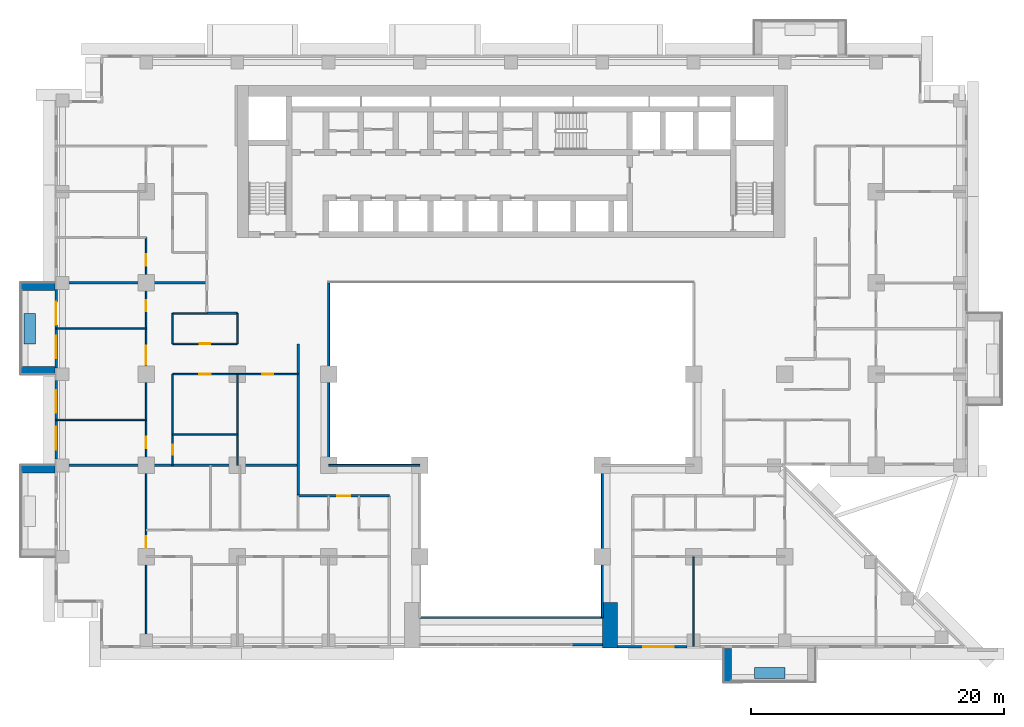
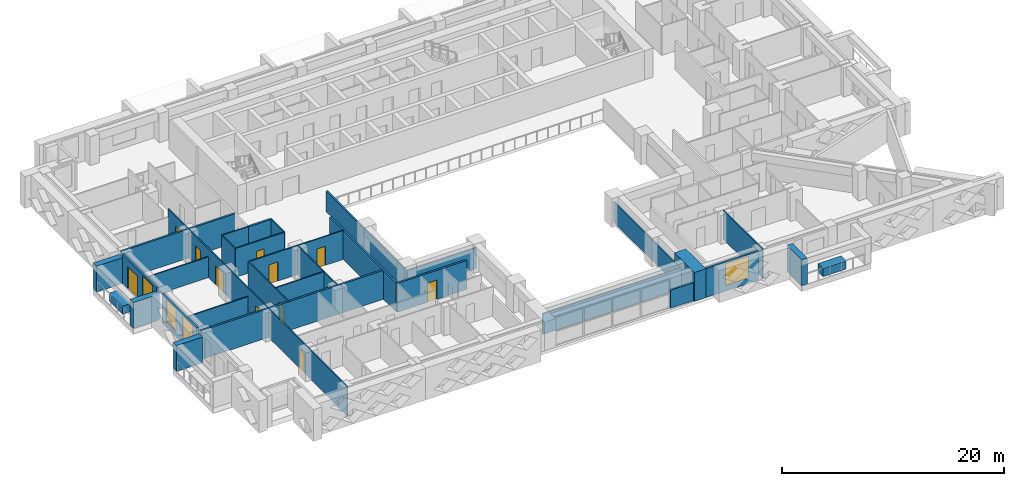
# One storey, part 7 of 16: 32 walls, 11 doors, 4 windows, 15 openings.
"""IFC4 building model written with IfcOpenShell, lengths in metres."""

from ifc_helpers import new_model, si_unit, direction, frame, frame_2d, origin, place, context, subcontext, project, spatial, rectangle, extrude, material, layer, layer_set, type_object, element, fill, save


model = new_model("IFC4")

# Units and contexts
model_context = context("Model", 3, precision=1e-05, world=origin(), true_north=direction((0.0, 1.0)))
body_context = subcontext(model_context, "Body", "Model", "MODEL_VIEW")
ifc_project = project(units=[si_unit("LENGTHUNIT", "METRE"), si_unit("AREAUNIT", "SQUARE_METRE"), si_unit("VOLUMEUNIT", "CUBIC_METRE"), si_unit("PLANEANGLEUNIT", "RADIAN"), si_unit("MASSUNIT", "GRAM", prefix="KILO")], contexts=[model_context])

# Site, building, storey
site_placement = place(None, origin())
site = spatial("IfcSite", under=ifc_project, at=site_placement, CompositionType="ELEMENT")
building_placement = place(site_placement, origin())
building = spatial("IfcBuilding", under=site, at=building_placement, Name="Saffron Iwan Residences", CompositionType="ELEMENT")
storey_placement = place(building_placement, frame((0.0, 0.0, 90.0)))
storey = spatial("IfcBuildingStorey", under=building, at=storey_placement, Name="L23", CompositionType="ELEMENT", Elevation=90.0)

# Walls
ifc_material_1 = material(Name="Fire-rated glazing", Category="glass")
ifc_layer_1 = layer(ifc_material_1, 0.14990234375)
ifc_layer_set_1 = layer_set([ifc_layer_1], Name="Fire-rated glazing")
wall_type_1 = type_object("IfcWallType", Name="Atrium glazed screen 150", PredefinedType="SOLIDWALL", material=ifc_layer_set_1)
wall_1_placement = place(storey_placement, frame((43.199951171875, 36.0, 0.0), z_axis=(0.0, 0.0, 1.0), x_axis=(1.0, 0.0, 0.0)))
element("IfcWall", 1, at=wall_1_placement, inside=storey, type_object=wall_type_1, Name="W-L23-SCREEN-h36-43.2", PredefinedType="SOLIDWALL", context=body_context, shape_type="SweptSolid", body=[
    extrude(rectangle(XDim=14.400146484375, YDim=0.14990234375, at=frame_2d((7.2001953125, 0.0))), origin(), (0.0, 0.0, 1.0), 2.280029296875),
])
wall_2_placement = place(storey_placement, frame((36.0, 48.0, 0.0), z_axis=(0.0, 0.0, 1.0), x_axis=(1.0, 0.0, 0.0)))
element("IfcWall", 2, at=wall_2_placement, inside=storey, type_object=wall_type_1, Name="W-L23-SCREEN-h48-36", PredefinedType="SOLIDWALL", context=body_context, shape_type="SweptSolid", body=[
    extrude(rectangle(XDim=7.199951171875, YDim=0.14990234375, at=frame_2d((3.60009765625, 0.0))), origin(), (0.0, 0.0, 1.0), 2.280029296875),
])
wall_3_placement = place(storey_placement, frame((36.0, 48.0, 0.0), z_axis=(0.0, 0.0, 1.0), x_axis=(0.0, 1.0, 0.0)))
element("IfcWall", 3, at=wall_3_placement, inside=storey, type_object=wall_type_1, Name="W-L23-SCREEN-v36-48", PredefinedType="SOLIDWALL", context=body_context, shape_type="SweptSolid", body=[
    extrude(rectangle(XDim=14.39990234375, YDim=0.14990234375, at=frame_2d((7.199951171875, 0.0))), origin(), (0.0, 0.0, 1.0), 2.280029296875),
])
wall_4_placement = place(storey_placement, frame((57.60009765625, 36.0, 0.0), z_axis=(0.0, 0.0, 1.0), x_axis=(0.0, 1.0, 0.0)))
element("IfcWall", 4, at=wall_4_placement, inside=storey, type_object=wall_type_1, Name="W-L23-SCREEN-v57.6-36", PredefinedType="SOLIDWALL", context=body_context, shape_type="SweptSolid", body=[
    extrude(rectangle(XDim=12.0, YDim=0.14990234375, at=frame_2d((6.0, 0.0))), origin(), (0.0, 0.0, 1.0), 2.280029296875),
])
ifc_material_2 = material(Name="Concrete C50/60 white painted", Category="concrete")
ifc_layer_2 = layer(ifc_material_2, 0.60009765625)
ifc_layer_set_2 = layer_set([ifc_layer_2], Name="Concrete C50/60 white painted")
wall_type_2 = type_object("IfcWallType", Name="BALCONY FIN 600", PredefinedType="SOLIDWALL", material=ifc_layer_set_2)
for number, where, z_axis, x_axis, name in (
    (5, (14.39990234375, 62.10009765625, 0.0), (0.0, 0.0, 1.0), (-1.0, 0.0, 0.0), "Balcony fin L23 F8-0a"),
    (6, (14.39990234375, 55.5, 0.0), (0.0, 0.0, 1.0), (-1.0, 0.0, 0.0), "Balcony fin L23 F8-0b"),
    (7, (14.39990234375, 47.699951171875, 0.0), (0.0, 0.0, 1.0), (-1.0, 0.0, 0.0), "Balcony fin L23 F8-1a"),
):
    element("IfcWall", number, at=place(storey_placement, frame(where, z_axis=z_axis, x_axis=x_axis)), inside=storey, type_object=wall_type_2, Name=name, PredefinedType="SOLIDWALL", context=body_context, shape_type="SweptSolid", body=[
        extrude(rectangle(XDim=2.699951171875, YDim=0.60009765625, at=frame_2d((1.35009765625, 0.0))), origin(), (0.0, 0.0, 1.0), 2.85009765625),
    ])
wall_5_placement = place(storey_placement, frame((67.5, 33.550048828125, 0.0), z_axis=(0.0, 0.0, 1.0), x_axis=(0.0, -1.0, 0.0)))
element("IfcWall", 8, at=wall_5_placement, inside=storey, type_object=wall_type_2, Name="Balcony fin L23 11-1a", PredefinedType="SOLIDWALL", context=body_context, shape_type="SweptSolid", body=[
    extrude(rectangle(XDim=2.650146484375, YDim=0.60009765625, at=frame_2d((1.3251953125, 0.0))), origin(), (0.0, 0.0, 1.0), 2.85009765625),
])
ifc_material_3 = material(Name="Concrete C35/45 white painted", Category="concrete")
ifc_layer_3 = layer(ifc_material_3, 0.14990234375)
ifc_layer_set_3 = layer_set([ifc_layer_3], Name="Concrete C35/45 white painted")
wall_type_3 = type_object("IfcWallType", Name="BALCONY PLANTER", PredefinedType="SOLIDWALL", material=ifc_layer_set_3)
for number, where, z_axis, x_axis, name in (
    (9, (12.425048828125, 60.0, 0.0), (0.0, 0.0, 1.0), (0.0, -1.0, 0.0), "PLANTER L23 F8-0"),
    (10, (69.60009765625, 31.625, 0.0), (0.0, 0.0, 1.0), (1.0, 0.0, 0.0), "PLANTER L23 11-1"),
):
    element("IfcWall", number, at=place(storey_placement, frame(where, z_axis=z_axis, x_axis=x_axis)), inside=storey, type_object=wall_type_3, Name=name, PredefinedType="SOLIDWALL", context=body_context, shape_type="SweptSolid", body=[
        extrude(rectangle(XDim=2.39990234375, YDim=0.89990234375, at=frame_2d((1.199951171875, 0.0))), origin(), (0.0, 0.0, 1.0), 0.89990234375),
    ])

# Wall, openings, door, window
ifc_material_4 = material(Name="Concrete C40/50", Category="concrete")
ifc_layer_4 = layer(ifc_material_4, 0.199951171875)
ifc_layer_set_4 = layer_set([ifc_layer_4], Name="Concrete C40/50")
wall_type_4 = type_object("IfcWallType", Name="EXTERNAL WALL 200", PredefinedType="SOLIDWALL", material=ifc_layer_set_4)
wall_6_placement = place(storey_placement, frame((14.5, 61.89990234375, 0.0), z_axis=(0.0, 0.0, 1.0), x_axis=(0.0, -1.0, 0.0)))
wall_6 = element("IfcWall", 11, at=wall_6_placement, inside=storey, type_object=wall_type_4, Name="External wall L23 F8.2", PredefinedType="SOLIDWALL", context=body_context, shape_type="SweptSolid", body=[
    extrude(rectangle(XDim=6.199951171875, YDim=0.199951171875, at=frame_2d((3.10009765625, 0.0))), origin(), (0.0, 0.0, 1.0), 3.179931640625),
])
opening_1_placement = place(wall_6_placement, frame((1.0, 0.0, 0.0)))
opening_1 = element("IfcOpeningElement", 12, at=opening_1_placement, cuts=wall_6, Name="Opening BD1", PredefinedType="OPENING", context=body_context, shape_type="SweptSolid", body=[
    extrude(rectangle(XDim=1.800048828125, YDim=2.39990234375, at=frame_2d((0.89990234375, 1.199951171875))), frame((0.0, 0.10986328125, 0.0), z_axis=(0.0, -1.0, 0.0), x_axis=(1.0, 0.0, 0.0)), (0.0, 0.0, 1.0), 0.219970703125),
])
opening_2_placement = place(wall_6_placement, frame((3.64990234375, 0.0, 0.60009765625)))
opening_2 = element("IfcOpeningElement", 13, at=opening_2_placement, cuts=wall_6, Name="Opening W8", PredefinedType="OPENING", context=body_context, shape_type="SweptSolid", body=[
    extrude(rectangle(XDim=1.800048828125, YDim=2.39990234375, at=frame_2d((0.89990234375, 1.199951171875))), frame((0.0, 0.10986328125, 0.0), z_axis=(0.0, -1.0, 0.0), x_axis=(1.0, 0.0, 0.0)), (0.0, 0.0, 1.0), 0.219970703125),
])
ifc_material_5 = material(Name="Clear glass, laminated double glazed", Category="glass")
door_type_1 = type_object("IfcDoorType", Name="BALCONY DOOR 1800 x 2400", OperationType="DOUBLE_DOOR_SLIDING", PredefinedType="DOOR", material=ifc_material_5)
door_1_placement = place(opening_1_placement, origin())
door_1 = element("IfcDoor", 14, at=door_1_placement, inside=storey, type_object=door_type_1, Name="Balcony door L23 F8.0", OperationType="DOUBLE_DOOR_SLIDING", OverallHeight=2.39990234375, OverallWidth=1.800048828125, PredefinedType="DOOR", context=body_context, shape_type="SweptSolid", body=[
    extrude(rectangle(XDim=1.800048828125, YDim=2.39990234375, at=frame_2d((0.89990234375, 1.199951171875))), frame((0.0, 0.02490234375, 0.0), z_axis=(0.0, -1.0, 0.0), x_axis=(1.0, 0.0, 0.0)), (0.0, 0.0, 1.0), 0.050048828125),
])
fill(opening_1, door_1)
window_type_1 = type_object("IfcWindowType", Name="WINDOW 1800 x 2400", PartitioningType="DOUBLE_PANEL_VERTICAL", PredefinedType="WINDOW", material=ifc_material_5)
window_1_placement = place(opening_2_placement, origin())
window_1 = element("IfcWindow", 15, at=window_1_placement, inside=storey, type_object=window_type_1, Name="Window L23 F8.1", OverallHeight=2.39990234375, OverallWidth=1.800048828125, PartitioningType="DOUBLE_PANEL_VERTICAL", PredefinedType="WINDOW", context=body_context, shape_type="SweptSolid", body=[
    extrude(rectangle(XDim=1.800048828125, YDim=2.39990234375, at=frame_2d((0.89990234375, 1.199951171875))), frame((0.0, 0.030029296875, 0.0), z_axis=(0.0, -1.0, 0.0), x_axis=(1.0, 0.0, 0.0)), (0.0, 0.0, 1.0), 0.06005859375),
])
fill(opening_2, window_1)

# Wall, openings, windows
wall_7_placement = place(storey_placement, frame((14.5, 54.699951171875, 0.0), z_axis=(0.0, 0.0, 1.0), x_axis=(0.0, -1.0, 0.0)))
wall_7 = element("IfcWall", 16, at=wall_7_placement, inside=storey, type_object=wall_type_4, Name="External wall L23 F8.3", PredefinedType="SOLIDWALL", context=body_context, shape_type="SweptSolid", body=[
    extrude(rectangle(XDim=6.199951171875, YDim=0.199951171875, at=frame_2d((3.10009765625, 0.0))), origin(), (0.0, 0.0, 1.0), 3.179931640625),
])
opening_3_placement = place(wall_7_placement, frame((3.64990234375, 0.0, 0.60009765625)))
opening_3 = element("IfcOpeningElement", 17, at=opening_3_placement, cuts=wall_7, Name="Opening W8", PredefinedType="OPENING", context=body_context, shape_type="SweptSolid", body=[
    extrude(rectangle(XDim=1.800048828125, YDim=2.39990234375, at=frame_2d((0.89990234375, 1.199951171875))), frame((0.0, 0.10986328125, 0.0), z_axis=(0.0, -1.0, 0.0), x_axis=(1.0, 0.0, 0.0)), (0.0, 0.0, 1.0), 0.219970703125),
])
opening_4_placement = place(wall_7_placement, frame((0.75, 0.0, 0.60009765625)))
opening_4 = element("IfcOpeningElement", 18, at=opening_4_placement, cuts=wall_7, Name="Opening W8", PredefinedType="OPENING", context=body_context, shape_type="SweptSolid", body=[
    extrude(rectangle(XDim=1.800048828125, YDim=2.39990234375, at=frame_2d((0.89990234375, 1.199951171875))), frame((0.0, 0.10986328125, 0.0), z_axis=(0.0, -1.0, 0.0), x_axis=(1.0, 0.0, 0.0)), (0.0, 0.0, 1.0), 0.219970703125),
])
window_2_placement = place(opening_3_placement, origin())
window_2 = element("IfcWindow", 19, at=window_2_placement, inside=storey, type_object=window_type_1, Name="Window L23 F8.0", OverallHeight=2.39990234375, OverallWidth=1.800048828125, PartitioningType="DOUBLE_PANEL_VERTICAL", PredefinedType="WINDOW", context=body_context, shape_type="SweptSolid", body=[
    extrude(rectangle(XDim=1.800048828125, YDim=2.39990234375, at=frame_2d((0.89990234375, 1.199951171875))), frame((0.0, 0.030029296875, 0.0), z_axis=(0.0, -1.0, 0.0), x_axis=(1.0, 0.0, 0.0)), (0.0, 0.0, 1.0), 0.06005859375),
])
fill(opening_3, window_2)
window_3_placement = place(opening_4_placement, origin())
window_3 = element("IfcWindow", 20, at=window_3_placement, inside=storey, type_object=window_type_1, Name="Window L23 F8.1", OverallHeight=2.39990234375, OverallWidth=1.800048828125, PartitioningType="DOUBLE_PANEL_VERTICAL", PredefinedType="WINDOW", context=body_context, shape_type="SweptSolid", body=[
    extrude(rectangle(XDim=1.800048828125, YDim=2.39990234375, at=frame_2d((0.89990234375, 1.199951171875))), frame((0.0, 0.030029296875, 0.0), z_axis=(0.0, -1.0, 0.0), x_axis=(1.0, 0.0, 0.0)), (0.0, 0.0, 1.0), 0.06005859375),
])
fill(opening_4, window_3)

# Wall, opening, window
wall_8_placement = place(storey_placement, frame((58.800048828125, 33.699951171875, 0.0), z_axis=(0.0, 0.0, 1.0), x_axis=(1.0, 0.0, 0.0)))
wall_8 = element("IfcWall", 21, at=wall_8_placement, inside=storey, type_object=wall_type_4, Name="External wall L23 F11.4", PredefinedType="SOLIDWALL", context=body_context, shape_type="SweptSolid", body=[
    extrude(rectangle(XDim=5.5, YDim=0.199951171875, at=frame_2d((2.75, 0.0))), origin(), (0.0, 0.0, 1.0), 3.179931640625),
])
opening_5_placement = place(wall_8_placement, frame((2.050048828125, 0.0, 0.60009765625)))
opening_5 = element("IfcOpeningElement", 22, at=opening_5_placement, cuts=wall_8, Name="Opening W1", PredefinedType="OPENING", context=body_context, shape_type="SweptSolid", body=[
    extrude(rectangle(XDim=2.39990234375, YDim=2.39990234375, at=frame_2d((1.199951171875, 1.199951171875))), frame((0.0, 0.10986328125, 0.0), z_axis=(0.0, -1.0, 0.0), x_axis=(1.0, 0.0, 0.0)), (0.0, 0.0, 1.0), 0.219970703125),
])
window_type_2 = type_object("IfcWindowType", Name="WINDOW 2400 x 2400", PartitioningType="DOUBLE_PANEL_VERTICAL", PredefinedType="WINDOW", material=ifc_material_5)
window_4_placement = place(opening_5_placement, origin())
window_4 = element("IfcWindow", 23, at=window_4_placement, inside=storey, type_object=window_type_2, Name="Window L23 F11.0", OverallHeight=2.39990234375, OverallWidth=2.39990234375, PartitioningType="DOUBLE_PANEL_VERTICAL", PredefinedType="WINDOW", context=body_context, shape_type="SweptSolid", body=[
    extrude(rectangle(XDim=2.39990234375, YDim=2.39990234375, at=frame_2d((1.199951171875, 1.199951171875))), frame((0.0, 0.030029296875, 0.0), z_axis=(0.0, -1.0, 0.0), x_axis=(1.0, 0.0, 0.0)), (0.0, 0.0, 1.0), 0.06005859375),
])
fill(opening_5, window_4)

# Walls
wall_9_placement = place(storey_placement, frame((55.199951171875, 33.85009765625, 0.0), z_axis=(0.0, 0.0, 1.0), x_axis=(1.0, 0.0, 0.0)))
element("IfcWall", 24, at=wall_9_placement, inside=storey, type_object=wall_type_4, Name="External wall infill CWB-L23-0", PredefinedType="SOLIDWALL", context=body_context, shape_type="SweptSolid", body=[
    extrude(rectangle(XDim=2.400146484375, YDim=0.199951171875, at=frame_2d((1.2001953125, 0.0))), origin(), (0.0, 0.0, 1.0), 1.97998046875),
])
ifc_material_6 = material(Name="Fire-rated gypsum board wall")
ifc_layer_5 = layer(ifc_material_6, 0.199951171875)
ifc_layer_set_5 = layer_set([ifc_layer_5], Name="Fire-rated gypsum board wall")
wall_type_5 = type_object("IfcWallType", Name="Flat demising wall 200", PredefinedType="SOLIDWALL", material=ifc_layer_set_5)
wall_10_placement = place(storey_placement, frame((14.52490234375, 48.0, 0.0), z_axis=(0.0, 0.0, 1.0), x_axis=(1.0, 0.0, 0.0)))
element("IfcWall", 25, at=wall_10_placement, inside=storey, type_object=wall_type_5, Name="W-L23-DEMISE-h48-14.525", PredefinedType="SOLIDWALL", context=body_context, shape_type="SweptSolid", body=[
    extrude(rectangle(XDim=19.0751953125, YDim=0.199951171875, at=frame_2d((9.53759765625, 0.0))), origin(), (0.0, 0.0, 1.0), 3.179931640625),
])
wall_11_placement = place(storey_placement, frame((14.52490234375, 62.39990234375, 0.0), z_axis=(0.0, 0.0, 1.0), x_axis=(1.0, 0.0, 0.0)))
element("IfcWall", 26, at=wall_11_placement, inside=storey, type_object=wall_type_5, Name="W-L23-DEMISE-h62.4-14.525", PredefinedType="SOLIDWALL", context=body_context, shape_type="SweptSolid", body=[
    extrude(rectangle(XDim=11.875, YDim=0.199951171875, at=frame_2d((5.9375, 0.0))), origin(), (0.0, 0.0, 1.0), 3.179931640625),
])
ifc_material_7 = material(Name="Gypsum board partition")
ifc_layer_6 = layer(ifc_material_7, 0.1201171875)
ifc_layer_set_6 = layer_set([ifc_layer_6], Name="Gypsum board partition")
wall_type_6 = type_object("IfcWallType", Name="Flat partition 120", PredefinedType="PARTITIONING", material=ifc_layer_set_6)
wall_12_placement = place(storey_placement, frame((23.699951171875, 50.449951171875, 0.0), z_axis=(0.0, 0.0, 1.0), x_axis=(1.0, 0.0, 0.0)))
element("IfcWall", 27, at=wall_12_placement, inside=storey, type_object=wall_type_6, Name="W-L23-PART-h50.45-23.7", PredefinedType="PARTITIONING", context=body_context, shape_type="SweptSolid", body=[
    extrude(rectangle(XDim=5.10009765625, YDim=0.1201171875, at=frame_2d((2.550048828125, 0.0))), origin(), (0.0, 0.0, 1.0), 3.179931640625),
])
wall_13_placement = place(storey_placement, frame((14.52490234375, 51.60009765625, 0.0), z_axis=(0.0, 0.0, 1.0), x_axis=(1.0, 0.0, 0.0)))
element("IfcWall", 28, at=wall_13_placement, inside=storey, type_object=wall_type_6, Name="W-L23-PART-h51.6-14.525", PredefinedType="PARTITIONING", context=body_context, shape_type="SweptSolid", body=[
    extrude(rectangle(XDim=7.0751953125, YDim=0.1201171875, at=frame_2d((3.53759765625, 0.0))), origin(), (0.0, 0.0, 1.0), 2.280029296875),
])

# Wall, openings, doors
wall_14_placement = place(storey_placement, frame((23.699951171875, 55.199951171875, 0.0), z_axis=(0.0, 0.0, 1.0), x_axis=(1.0, 0.0, 0.0)))
wall_14 = element("IfcWall", 29, at=wall_14_placement, inside=storey, type_object=wall_type_6, Name="W-L23-PART-h55.2-23.7", PredefinedType="PARTITIONING", context=body_context, shape_type="SweptSolid", body=[
    extrude(rectangle(XDim=9.900146484375, YDim=0.1201171875, at=frame_2d((4.9501953125, 0.0))), origin(), (0.0, 0.0, 1.0), 3.179931640625),
])
opening_6_placement = place(wall_14_placement, frame((2.10009765625, 0.0, 0.0)))
opening_6 = element("IfcOpeningElement", 30, at=opening_6_placement, cuts=wall_14, Name="Opening FD2", PredefinedType="OPENING", context=body_context, shape_type="SweptSolid", body=[
    extrude(rectangle(XDim=0.89990234375, YDim=2.10009765625, at=frame_2d((0.449951171875, 1.050048828125))), frame((0.0, 0.070068359375, 0.0), z_axis=(0.0, -1.0, 0.0), x_axis=(1.0, 0.0, 0.0)), (0.0, 0.0, 1.0), 0.14013671875),
])
opening_7_placement = place(wall_14_placement, frame((7.050048828125, 0.0, 0.0)))
opening_7 = element("IfcOpeningElement", 31, at=opening_7_placement, cuts=wall_14, Name="Opening FD2", PredefinedType="OPENING", context=body_context, shape_type="SweptSolid", body=[
    extrude(rectangle(XDim=0.89990234375, YDim=2.10009765625, at=frame_2d((0.449951171875, 1.050048828125))), frame((0.0, 0.070068359375, 0.0), z_axis=(0.0, -1.0, 0.0), x_axis=(1.0, 0.0, 0.0)), (0.0, 0.0, 1.0), 0.14013671875),
])
ifc_material_8 = material(Name="Timber door", Category="wood")
door_type_2 = type_object("IfcDoorType", Name="Flat door 900", OperationType="NOTDEFINED", PredefinedType="DOOR", material=ifc_material_8)
door_2_placement = place(opening_6_placement, origin())
door_2 = element("IfcDoor", 32, at=door_2_placement, inside=storey, type_object=door_type_2, Name="Door L23-018", OperationType="SINGLE_SWING_LEFT", OverallHeight=2.10009765625, OverallWidth=0.89990234375, PredefinedType="DOOR", context=body_context, shape_type="SweptSolid", body=[
    extrude(rectangle(XDim=0.89990234375, YDim=2.10009765625, at=frame_2d((0.449951171875, 1.050048828125))), frame((0.0, 0.02490234375, 0.0), z_axis=(0.0, -1.0, 0.0), x_axis=(1.0, 0.0, 0.0)), (0.0, 0.0, 1.0), 0.050048828125),
])
fill(opening_6, door_2)
door_3_placement = place(opening_7_placement, origin())
door_3 = element("IfcDoor", 33, at=door_3_placement, inside=storey, type_object=door_type_2, Name="Door L23-020", OperationType="SINGLE_SWING_RIGHT", OverallHeight=2.10009765625, OverallWidth=0.89990234375, PredefinedType="DOOR", context=body_context, shape_type="SweptSolid", body=[
    extrude(rectangle(XDim=0.89990234375, YDim=2.10009765625, at=frame_2d((0.449951171875, 1.050048828125))), frame((0.0, 0.02490234375, 0.0), z_axis=(0.0, -1.0, 0.0), x_axis=(1.0, 0.0, 0.0)), (0.0, 0.0, 1.0), 0.050048828125),
])
fill(opening_7, door_3)

# Wall, opening, door
wall_15_placement = place(storey_placement, frame((23.699951171875, 57.60009765625, 0.0), z_axis=(0.0, 0.0, 1.0), x_axis=(1.0, 0.0, 0.0)))
wall_15 = element("IfcWall", 34, at=wall_15_placement, inside=storey, type_object=wall_type_6, Name="W-L23-PART-h57.6-23.7", PredefinedType="PARTITIONING", context=body_context, shape_type="SweptSolid", body=[
    extrude(rectangle(XDim=5.10009765625, YDim=0.1201171875, at=frame_2d((2.550048828125, 0.0))), origin(), (0.0, 0.0, 1.0), 3.179931640625),
])
opening_8_placement = place(wall_15_placement, frame((2.14990234375, 0.0, 0.0)))
opening_8 = element("IfcOpeningElement", 35, at=opening_8_placement, cuts=wall_15, Name="Opening FD3", PredefinedType="OPENING", context=body_context, shape_type="SweptSolid", body=[
    extrude(rectangle(XDim=0.800048828125, YDim=2.10009765625, at=frame_2d((0.39990234375, 1.050048828125))), frame((0.0, 0.070068359375, 0.0), z_axis=(0.0, -1.0, 0.0), x_axis=(1.0, 0.0, 0.0)), (0.0, 0.0, 1.0), 0.14013671875),
])
door_type_3 = type_object("IfcDoorType", Name="Bathroom door 800", OperationType="NOTDEFINED", PredefinedType="DOOR", material=ifc_material_8)
door_4_placement = place(opening_8_placement, origin())
door_4 = element("IfcDoor", 36, at=door_4_placement, inside=storey, type_object=door_type_3, Name="Door L23-019", OperationType="SINGLE_SWING_LEFT", OverallHeight=2.10009765625, OverallWidth=0.800048828125, PredefinedType="DOOR", context=body_context, shape_type="SweptSolid", body=[
    extrude(rectangle(XDim=0.800048828125, YDim=2.10009765625, at=frame_2d((0.39990234375, 1.050048828125))), frame((0.0, 0.02490234375, 0.0), z_axis=(0.0, -1.0, 0.0), x_axis=(1.0, 0.0, 0.0)), (0.0, 0.0, 1.0), 0.050048828125),
])
fill(opening_8, door_4)

# Walls
wall_16_placement = place(storey_placement, frame((14.52490234375, 58.800048828125, 0.0), z_axis=(0.0, 0.0, 1.0), x_axis=(1.0, 0.0, 0.0)))
element("IfcWall", 37, at=wall_16_placement, inside=storey, type_object=wall_type_6, Name="W-L23-PART-h58.8-14.525", PredefinedType="PARTITIONING", context=body_context, shape_type="SweptSolid", body=[
    extrude(rectangle(XDim=7.0751953125, YDim=0.1201171875, at=frame_2d((3.53759765625, 0.0))), origin(), (0.0, 0.0, 1.0), 2.280029296875),
])
wall_17_placement = place(storey_placement, frame((23.699951171875, 60.0, 0.0), z_axis=(0.0, 0.0, 1.0), x_axis=(1.0, 0.0, 0.0)))
element("IfcWall", 38, at=wall_17_placement, inside=storey, type_object=wall_type_6, Name="W-L23-PART-h60-23.7", PredefinedType="PARTITIONING", context=body_context, shape_type="SweptSolid", body=[
    extrude(rectangle(XDim=2.699951171875, YDim=0.1201171875, at=frame_2d((1.35009765625, 0.0))), origin(), (0.0, 0.0, 1.0), 3.179931640625),
])

# Wall, openings, doors
wall_18_placement = place(storey_placement, frame((21.60009765625, 33.72509765625, 0.0), z_axis=(0.0, 0.0, 1.0), x_axis=(0.0, 1.0, 0.0)))
wall_18 = element("IfcWall", 39, at=wall_18_placement, inside=storey, type_object=wall_type_6, Name="W-L23-PART-v21.6-33.725", PredefinedType="PARTITIONING", context=body_context, shape_type="SweptSolid", body=[
    extrude(rectangle(XDim=32.27490234375, YDim=0.1201171875, at=frame_2d((16.137451171875, 0.0))), origin(), (0.0, 0.0, 1.0), 3.179931640625),
])
opening_9_placement = place(wall_18_placement, frame((7.77490234375, 0.0, 0.0)))
opening_9 = element("IfcOpeningElement", 40, at=opening_9_placement, cuts=wall_18, Name="Opening FD2", PredefinedType="OPENING", context=body_context, shape_type="SweptSolid", body=[
    extrude(rectangle(XDim=0.89990234375, YDim=2.10009765625, at=frame_2d((0.449951171875, 1.050048828125))), frame((0.0, 0.070068359375, 0.0), z_axis=(0.0, -1.0, 0.0), x_axis=(1.0, 0.0, 0.0)), (0.0, 0.0, 1.0), 0.14013671875),
])
opening_10_placement = place(wall_18_placement, frame((15.625, 0.0, 0.0)))
opening_10 = element("IfcOpeningElement", 41, at=opening_10_placement, cuts=wall_18, Name="Opening FD2", PredefinedType="OPENING", context=body_context, shape_type="SweptSolid", body=[
    extrude(rectangle(XDim=0.89990234375, YDim=2.10009765625, at=frame_2d((0.449951171875, 1.050048828125))), frame((0.0, 0.070068359375, 0.0), z_axis=(0.0, -1.0, 0.0), x_axis=(1.0, 0.0, 0.0)), (0.0, 0.0, 1.0), 0.14013671875),
])
opening_11_placement = place(wall_18_placement, frame((22.22509765625, 0.0, 0.0)))
opening_11 = element("IfcOpeningElement", 42, at=opening_11_placement, cuts=wall_18, Name="Opening FD4", PredefinedType="OPENING", context=body_context, shape_type="SweptSolid", body=[
    extrude(rectangle(XDim=1.5, YDim=2.10009765625, at=frame_2d((0.75, 1.050048828125))), frame((0.0, 0.070068359375, 0.0), z_axis=(0.0, -1.0, 0.0), x_axis=(1.0, 0.0, 0.0)), (0.0, 0.0, 1.0), 0.14013671875),
])
opening_12_placement = place(wall_18_placement, frame((26.425048828125, 0.0, 0.0)))
opening_12 = element("IfcOpeningElement", 43, at=opening_12_placement, cuts=wall_18, Name="Opening FD2", PredefinedType="OPENING", context=body_context, shape_type="SweptSolid", body=[
    extrude(rectangle(XDim=0.89990234375, YDim=2.10009765625, at=frame_2d((0.449951171875, 1.050048828125))), frame((0.0, 0.070068359375, 0.0), z_axis=(0.0, -1.0, 0.0), x_axis=(1.0, 0.0, 0.0)), (0.0, 0.0, 1.0), 0.14013671875),
])
opening_13_placement = place(wall_18_placement, frame((30.02490234375, 0.0, 0.0)))
opening_13 = element("IfcOpeningElement", 44, at=opening_13_placement, cuts=wall_18, Name="Opening FD2", PredefinedType="OPENING", context=body_context, shape_type="SweptSolid", body=[
    extrude(rectangle(XDim=0.89990234375, YDim=2.10009765625, at=frame_2d((0.449951171875, 1.050048828125))), frame((0.0, 0.070068359375, 0.0), z_axis=(0.0, -1.0, 0.0), x_axis=(1.0, 0.0, 0.0)), (0.0, 0.0, 1.0), 0.14013671875),
])
door_type_4 = type_object("IfcDoorType", Name="Double door 1500", OperationType="NOTDEFINED", PredefinedType="DOOR", material=ifc_material_8)
door_5_placement = place(opening_11_placement, origin())
door_5 = element("IfcDoor", 45, at=door_5_placement, inside=storey, type_object=door_type_4, Name="Door L23-015", OperationType="SINGLE_SWING_RIGHT", OverallHeight=2.10009765625, OverallWidth=1.5, PredefinedType="DOOR", context=body_context, shape_type="SweptSolid", body=[
    extrude(rectangle(XDim=1.5, YDim=2.10009765625, at=frame_2d((0.75, 1.050048828125))), frame((0.0, 0.02490234375, 0.0), z_axis=(0.0, -1.0, 0.0), x_axis=(1.0, 0.0, 0.0)), (0.0, 0.0, 1.0), 0.050048828125),
])
fill(opening_11, door_5)
door_6_placement = place(opening_9_placement, origin())
door_6 = element("IfcDoor", 46, at=door_6_placement, inside=storey, type_object=door_type_2, Name="Door L23-002", OperationType="SINGLE_SWING_LEFT", OverallHeight=2.10009765625, OverallWidth=0.89990234375, PredefinedType="DOOR", context=body_context, shape_type="SweptSolid", body=[
    extrude(rectangle(XDim=0.89990234375, YDim=2.10009765625, at=frame_2d((0.449951171875, 1.050048828125))), frame((0.0, 0.02490234375, 0.0), z_axis=(0.0, -1.0, 0.0), x_axis=(1.0, 0.0, 0.0)), (0.0, 0.0, 1.0), 0.050048828125),
])
fill(opening_9, door_6)
door_7_placement = place(opening_10_placement, origin())
door_7 = element("IfcDoor", 47, at=door_7_placement, inside=storey, type_object=door_type_2, Name="Door L23-014", OperationType="SINGLE_SWING_RIGHT", OverallHeight=2.10009765625, OverallWidth=0.89990234375, PredefinedType="DOOR", context=body_context, shape_type="SweptSolid", body=[
    extrude(rectangle(XDim=0.89990234375, YDim=2.10009765625, at=frame_2d((0.449951171875, 1.050048828125))), frame((0.0, 0.02490234375, 0.0), z_axis=(0.0, -1.0, 0.0), x_axis=(1.0, 0.0, 0.0)), (0.0, 0.0, 1.0), 0.050048828125),
])
fill(opening_10, door_7)
door_8_placement = place(opening_12_placement, origin())
door_8 = element("IfcDoor", 48, at=door_8_placement, inside=storey, type_object=door_type_2, Name="Door L23-016", OperationType="SINGLE_SWING_LEFT", OverallHeight=2.10009765625, OverallWidth=0.89990234375, PredefinedType="DOOR", context=body_context, shape_type="SweptSolid", body=[
    extrude(rectangle(XDim=0.89990234375, YDim=2.10009765625, at=frame_2d((0.449951171875, 1.050048828125))), frame((0.0, 0.02490234375, 0.0), z_axis=(0.0, -1.0, 0.0), x_axis=(1.0, 0.0, 0.0)), (0.0, 0.0, 1.0), 0.050048828125),
])
fill(opening_12, door_8)
door_9_placement = place(opening_13_placement, origin())
door_9 = element("IfcDoor", 49, at=door_9_placement, inside=storey, type_object=door_type_2, Name="Door L23-028", OperationType="SINGLE_SWING_LEFT", OverallHeight=2.10009765625, OverallWidth=0.89990234375, PredefinedType="DOOR", context=body_context, shape_type="SweptSolid", body=[
    extrude(rectangle(XDim=0.89990234375, YDim=2.10009765625, at=frame_2d((0.449951171875, 1.050048828125))), frame((0.0, 0.02490234375, 0.0), z_axis=(0.0, -1.0, 0.0), x_axis=(1.0, 0.0, 0.0)), (0.0, 0.0, 1.0), 0.050048828125),
])
fill(opening_13, door_9)

# Wall, opening, door
wall_19_placement = place(storey_placement, frame((23.699951171875, 48.0, 0.0), z_axis=(0.0, 0.0, 1.0), x_axis=(0.0, 1.0, 0.0)))
wall_19 = element("IfcWall", 50, at=wall_19_placement, inside=storey, type_object=wall_type_6, Name="W-L23-PART-v23.7-48", PredefinedType="PARTITIONING", context=body_context, shape_type="SweptSolid", body=[
    extrude(rectangle(XDim=7.199951171875, YDim=0.1201171875, at=frame_2d((3.60009765625, 0.0))), origin(), (0.0, 0.0, 1.0), 3.179931640625),
])
opening_14_placement = place(wall_19_placement, frame((0.824951171875, 0.0, 0.0)))
opening_14 = element("IfcOpeningElement", 51, at=opening_14_placement, cuts=wall_19, Name="Opening FD3", PredefinedType="OPENING", context=body_context, shape_type="SweptSolid", body=[
    extrude(rectangle(XDim=0.800048828125, YDim=2.10009765625, at=frame_2d((0.39990234375, 1.050048828125))), frame((0.0, 0.070068359375, 0.0), z_axis=(0.0, -1.0, 0.0), x_axis=(1.0, 0.0, 0.0)), (0.0, 0.0, 1.0), 0.14013671875),
])
door_10_placement = place(opening_14_placement, origin())
door_10 = element("IfcDoor", 52, at=door_10_placement, inside=storey, type_object=door_type_3, Name="Door L23-017", OperationType="SINGLE_SWING_RIGHT", OverallHeight=2.10009765625, OverallWidth=0.800048828125, PredefinedType="DOOR", context=body_context, shape_type="SweptSolid", body=[
    extrude(rectangle(XDim=0.800048828125, YDim=2.10009765625, at=frame_2d((0.39990234375, 1.050048828125))), frame((0.0, 0.02490234375, 0.0), z_axis=(0.0, -1.0, 0.0), x_axis=(1.0, 0.0, 0.0)), (0.0, 0.0, 1.0), 0.050048828125),
])
fill(opening_14, door_10)

# Walls
wall_20_placement = place(storey_placement, frame((23.699951171875, 57.60009765625, 0.0), z_axis=(0.0, 0.0, 1.0), x_axis=(0.0, 1.0, 0.0)))
element("IfcWall", 53, at=wall_20_placement, inside=storey, type_object=wall_type_6, Name="W-L23-PART-v23.7-57.6", PredefinedType="PARTITIONING", context=body_context, shape_type="SweptSolid", body=[
    extrude(rectangle(XDim=2.39990234375, YDim=0.1201171875, at=frame_2d((1.199951171875, 0.0))), origin(), (0.0, 0.0, 1.0), 3.179931640625),
])
wall_21_placement = place(storey_placement, frame((28.800048828125, 48.0, 0.0), z_axis=(0.0, 0.0, 1.0), x_axis=(0.0, 1.0, 0.0)))
element("IfcWall", 54, at=wall_21_placement, inside=storey, type_object=wall_type_6, Name="W-L23-PART-v28.8-48", PredefinedType="PARTITIONING", context=body_context, shape_type="SweptSolid", body=[
    extrude(rectangle(XDim=7.199951171875, YDim=0.1201171875, at=frame_2d((3.60009765625, 0.0))), origin(), (0.0, 0.0, 1.0), 3.179931640625),
])
wall_22_placement = place(storey_placement, frame((28.800048828125, 57.60009765625, 0.0), z_axis=(0.0, 0.0, 1.0), x_axis=(0.0, 1.0, 0.0)))
element("IfcWall", 55, at=wall_22_placement, inside=storey, type_object=wall_type_6, Name="W-L23-PART-v28.8-57.6", PredefinedType="PARTITIONING", context=body_context, shape_type="SweptSolid", body=[
    extrude(rectangle(XDim=2.39990234375, YDim=0.1201171875, at=frame_2d((1.199951171875, 0.0))), origin(), (0.0, 0.0, 1.0), 3.179931640625),
])
wall_23_placement = place(storey_placement, frame((64.800048828125, 33.72509765625, 0.0), z_axis=(0.0, 0.0, 1.0), x_axis=(0.0, 1.0, 0.0)))
element("IfcWall", 56, at=wall_23_placement, inside=storey, type_object=wall_type_6, Name="W-L23-PART-v64.8-33.725", PredefinedType="PARTITIONING", context=body_context, shape_type="SweptSolid", body=[
    extrude(rectangle(XDim=7.074951171875, YDim=0.1201171875, at=frame_2d((3.53759765625, 0.0))), origin(), (0.0, 0.0, 1.0), 3.179931640625),
])

# Wall, opening, door
ifc_layer_7 = layer(ifc_material_6, 0.199951171875)
ifc_layer_set_7 = layer_set([ifc_layer_7], Name="Fire-rated gypsum board wall")
wall_type_7 = type_object("IfcWallType", Name="Gallery wall 200", PredefinedType="SOLIDWALL", material=ifc_layer_set_7)
wall_24_placement = place(storey_placement, frame((33.60009765625, 45.60009765625, 0.0), z_axis=(0.0, 0.0, 1.0), x_axis=(1.0, 0.0, 0.0)))
wall_24 = element("IfcWall", 57, at=wall_24_placement, inside=storey, type_object=wall_type_7, Name="W-L23-CORR-h45.6-33.6", PredefinedType="SOLIDWALL", context=body_context, shape_type="SweptSolid", body=[
    extrude(rectangle(XDim=7.199951171875, YDim=0.199951171875, at=frame_2d((3.60009765625, 0.0))), origin(), (0.0, 0.0, 1.0), 3.179931640625),
])
opening_15_placement = place(wall_24_placement, frame((3.10009765625, 0.0, 0.0)))
opening_15 = element("IfcOpeningElement", 58, at=opening_15_placement, cuts=wall_24, Name="Opening FD1", PredefinedType="OPENING", context=body_context, shape_type="SweptSolid", body=[
    extrude(rectangle(XDim=1.0, YDim=2.10009765625, at=frame_2d((0.5, 1.050048828125))), frame((0.0, 0.10986328125, 0.0), z_axis=(0.0, -1.0, 0.0), x_axis=(1.0, 0.0, 0.0)), (0.0, 0.0, 1.0), 0.219970703125),
])
ifc_material_9 = material(Name="Fire-rated timber door", Category="wood")
door_type_5 = type_object("IfcDoorType", Name="FD30S flat entrance door 1000", OperationType="NOTDEFINED", PredefinedType="DOOR", material=ifc_material_9)
door_11_placement = place(opening_15_placement, origin())
door_11 = element("IfcDoor", 59, at=door_11_placement, inside=storey, type_object=door_type_5, Name="Door L23-001", OperationType="SINGLE_SWING_LEFT", OverallHeight=2.10009765625, OverallWidth=1.0, PredefinedType="DOOR", context=body_context, shape_type="SweptSolid", body=[
    extrude(rectangle(XDim=1.0, YDim=2.10009765625, at=frame_2d((0.5, 1.050048828125))), frame((0.0, 0.02490234375, 0.0), z_axis=(0.0, -1.0, 0.0), x_axis=(1.0, 0.0, 0.0)), (0.0, 0.0, 1.0), 0.050048828125),
])
fill(opening_15, door_11)

# Walls
wall_25_placement = place(storey_placement, frame((26.39990234375, 60.0, 0.0), z_axis=(0.0, 0.0, 1.0), x_axis=(1.0, 0.0, 0.0)))
element("IfcWall", 60, at=wall_25_placement, inside=storey, type_object=wall_type_7, Name="W-L23-CORR-h60-26.4", PredefinedType="SOLIDWALL", context=body_context, shape_type="SweptSolid", body=[
    extrude(rectangle(XDim=2.400146484375, YDim=0.199951171875, at=frame_2d((1.2001953125, 0.0))), origin(), (0.0, 0.0, 1.0), 3.179931640625),
])
wall_26_placement = place(storey_placement, frame((33.60009765625, 45.60009765625, 0.0), z_axis=(0.0, 0.0, 1.0), x_axis=(0.0, 1.0, 0.0)))
element("IfcWall", 61, at=wall_26_placement, inside=storey, type_object=wall_type_7, Name="W-L23-CORR-v33.6-45.6", PredefinedType="SOLIDWALL", context=body_context, shape_type="SweptSolid", body=[
    extrude(rectangle(XDim=12.0, YDim=0.199951171875, at=frame_2d((6.0, 0.0))), origin(), (0.0, 0.0, 1.0), 3.179931640625),
])
ifc_material_10 = material(Name="Concrete C60/75", Category="concrete")
ifc_layer_8 = layer(ifc_material_10, 1.199951171875)
ifc_layer_set_8 = layer_set([ifc_layer_8], Name="Concrete C60/75")
wall_type_8 = type_object("IfcWallType", Name="WALL IWAN PIER 1200 C60/75 3180 HIGH", PredefinedType="SHEAR", material=ifc_layer_set_8)
wall_27_placement = place(storey_placement, frame((58.199951171875, 33.60009765625, 0.0), z_axis=(0.0, 0.0, 1.0), x_axis=(0.0, 1.0, 0.0)))
element("IfcWall", 62, at=wall_27_placement, inside=storey, type_object=wall_type_8, Name="IWAN PIER", PredefinedType="SHEAR", context=body_context, shape_type="SweptSolid", body=[
    extrude(rectangle(XDim=3.599853515625, YDim=1.199951171875, at=frame_2d((1.7998046875, 0.0))), origin(), (0.0, 0.0, 1.0), 3.179931640625),
])

save(model, "model.ifc")
